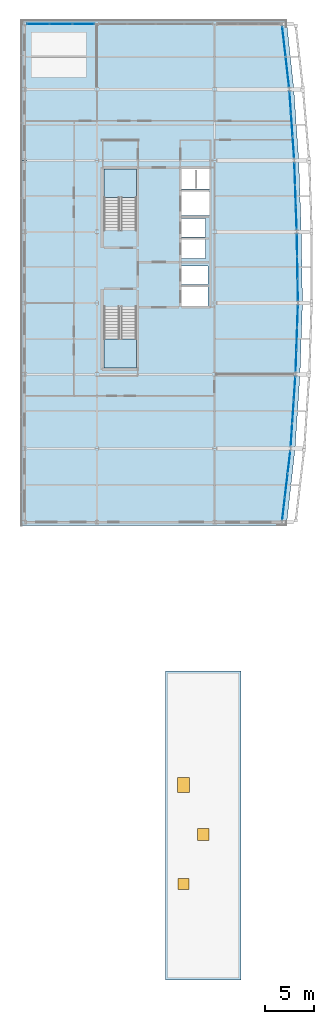
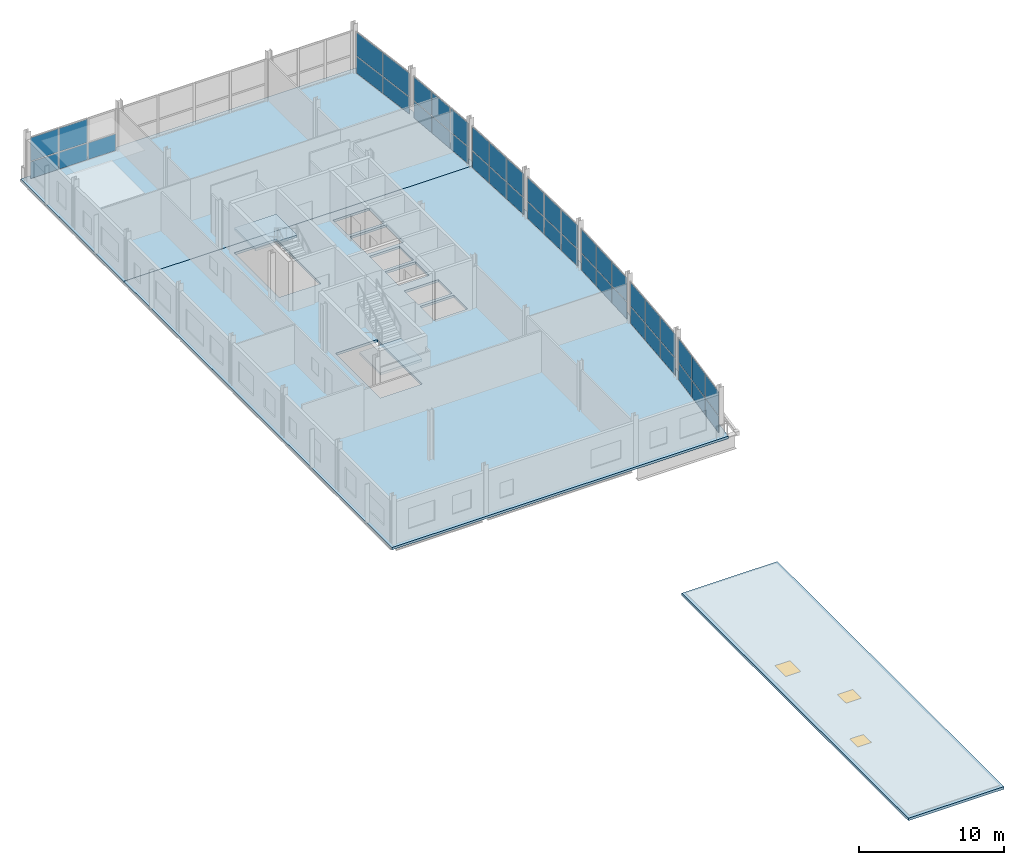
# One storey, part 14 of 23: 45 plates, 5 slabs, 3 windows, 3 openings, 10 elements without a shape of their own.
"""IFC4 building model written with IfcOpenShell, lengths in metres."""

from ifc_helpers import new_model, si_unit, direction, frame, origin, origin_2d, place, context, subcontext, project, spatial, polyline, rectangle, outline, extrude, material, layer, layer_set, type_object, element, fill, aggregate, save


model = new_model("IFC4")

# Units and contexts
model_context = context("Model", 3, precision=1e-05, world=origin(), true_north=direction((0.0, 1.0)))
body_context = subcontext(model_context, "Body", "Model", "MODEL_VIEW")
ifc_project = project(units=[si_unit("LENGTHUNIT", "METRE"), si_unit("AREAUNIT", "SQUARE_METRE"), si_unit("VOLUMEUNIT", "CUBIC_METRE"), si_unit("PLANEANGLEUNIT", "RADIAN"), si_unit("MASSUNIT", "GRAM", prefix="KILO")], contexts=[model_context])

# Site, building, storey
site_placement = place(None, origin())
site = spatial("IfcSite", under=ifc_project, at=site_placement, CompositionType="ELEMENT")
building_placement = place(site_placement, origin())
building = spatial("IfcBuilding", under=site, at=building_placement, Name="Quillay Park Conservatory", CompositionType="ELEMENT")
storey_placement = place(building_placement, frame((0.0, 0.0, 22.5)))
storey = spatial("IfcBuildingStorey", under=building, at=storey_placement, Name="L05", CompositionType="ELEMENT", Elevation=22.5)

# Curtain wall, plates
ifc_material_1 = material(Name="Thermally Broken Anodised Aluminium 6063-T6", Category="aluminium")
ifc_layer_1 = layer(ifc_material_1, 0.179931640625)
ifc_layer_set_1 = layer_set([ifc_layer_1], Name="UNITISED CURTAIN WALL TOWER (Thermally Broken Anodised Aluminium 6063-T6)")
curtain_wall_type = type_object("IfcCurtainWallType", Name="UNITISED CURTAIN WALL TOWER", PredefinedType="USERDEFINED", material=ifc_layer_set_1)
curtain_wall_1_placement = place(storey_placement, origin())
curtain_wall_1 = element("IfcCurtainWall", 1, at=curtain_wall_1_placement, inside=storey, type_object=curtain_wall_type, Name="L05 Unitised Curtain Wall 048", ObjectType="UNITISED CURTAIN WALL", PredefinedType="USERDEFINED")
ifc_material_2 = material(Name="Low-E Double Glazing (Laminated Tempered)", Category="glass")
ifc_layer_2 = layer(ifc_material_2, 0.028076171875)
ifc_layer_set_2 = layer_set([ifc_layer_2], Name="CURTAIN WALL GLAZED PANEL 28 (Low-E Double Glazing (Laminated Tempered))")
plate_type = type_object("IfcPlateType", Name="CURTAIN WALL GLAZED PANEL 28", PredefinedType="CURTAIN_PANEL", material=ifc_layer_set_2)
plate_1_placement = place(storey_placement, frame((27.261474609375, 69.108642578125, 0.070068359375), z_axis=(0.0, 0.0, 1.0), x_axis=(-0.116654959918, -0.993172502804, 0.0)))
plate_1 = element("IfcPlate", 2, at=plate_1_placement, type_object=plate_type, Name="CW-T1 panel 1.1", PredefinedType="CURTAIN_PANEL", context=body_context, shape_type="SweptSolid", body=[
    extrude(rectangle(XDim=2.26220703125, YDim=0.028076171875, at=origin_2d()), origin(), (0.0, 0.0, 1.0), 1.39404296875),
])
plate_2_placement = place(storey_placement, frame((27.261474609375, 69.108642578125, 1.5341796875), z_axis=(0.0, 0.0, 1.0), x_axis=(-0.116654959918, -0.993172502804, 0.0)))
plate_2 = element("IfcPlate", 3, at=plate_2_placement, type_object=plate_type, Name="CW-T1 panel 1.2", PredefinedType="CURTAIN_PANEL", context=body_context, shape_type="SweptSolid", body=[
    extrude(rectangle(XDim=2.26220703125, YDim=0.028076171875, at=origin_2d()), origin(), (0.0, 0.0, 1.0), 1.965087890625),
])
plate_3_placement = place(storey_placement, frame((26.987548828125, 66.77490234375, 0.070068359375), z_axis=(0.0, 0.0, 1.0), x_axis=(-0.116654959918, -0.993172502804, 0.0)))
plate_3 = element("IfcPlate", 4, at=plate_3_placement, type_object=plate_type, Name="CW-T1 panel 2.1", PredefinedType="CURTAIN_PANEL", context=body_context, shape_type="SweptSolid", body=[
    extrude(rectangle(XDim=2.297119140625, YDim=0.028076171875, at=origin_2d()), origin(), (0.0, 0.0, 1.0), 1.39404296875),
])
plate_4_placement = place(storey_placement, frame((26.987548828125, 66.77490234375, 1.5341796875), z_axis=(0.0, 0.0, 1.0), x_axis=(-0.116654959918, -0.993172502804, 0.0)))
plate_4 = element("IfcPlate", 5, at=plate_4_placement, type_object=plate_type, Name="CW-T1 panel 2.2", PredefinedType="CURTAIN_PANEL", context=body_context, shape_type="SweptSolid", body=[
    extrude(rectangle(XDim=2.297119140625, YDim=0.028076171875, at=origin_2d()), origin(), (0.0, 0.0, 1.0), 1.965087890625),
])
plate_5_placement = place(storey_placement, frame((26.71337890625, 64.44140625, 0.070068359375), z_axis=(0.0, 0.0, 1.0), x_axis=(-0.116654959918, -0.993172502804, 0.0)))
plate_5 = element("IfcPlate", 6, at=plate_5_placement, type_object=plate_type, Name="CW-T1 panel 3.1", PredefinedType="CURTAIN_PANEL", context=body_context, shape_type="SweptSolid", body=[
    extrude(rectangle(XDim=2.26220703125, YDim=0.028076171875, at=origin_2d()), origin(), (0.0, 0.0, 1.0), 1.39404296875),
])
plate_6_placement = place(storey_placement, frame((26.71337890625, 64.44140625, 1.5341796875), z_axis=(0.0, 0.0, 1.0), x_axis=(-0.116654959918, -0.993172502804, 0.0)))
plate_6 = element("IfcPlate", 7, at=plate_6_placement, type_object=plate_type, Name="CW-T1 panel 3.2", PredefinedType="CURTAIN_PANEL", context=body_context, shape_type="SweptSolid", body=[
    extrude(rectangle(XDim=2.26220703125, YDim=0.028076171875, at=origin_2d()), origin(), (0.0, 0.0, 1.0), 1.965087890625),
])
aggregate(curtain_wall_1, [plate_1, plate_2, plate_3, plate_4, plate_5, plate_6])

curtain_wall_2_placement = place(storey_placement, origin())
curtain_wall_2 = element("IfcCurtainWall", 8, at=curtain_wall_2_placement, inside=storey, type_object=curtain_wall_type, Name="L05 Unitised Curtain Wall 049", ObjectType="UNITISED CURTAIN WALL", PredefinedType="USERDEFINED")
plate_7_placement = place(storey_placement, frame((27.83154296875, 76.599365234375, 0.070068359375), z_axis=(0.0, 0.0, 1.0), x_axis=(-0.0665208758, -0.997785033503, 0.0)))
plate_7 = element("IfcPlate", 9, at=plate_7_placement, type_object=plate_type, Name="CW-T1 panel 1.1", PredefinedType="CURTAIN_PANEL", context=body_context, shape_type="SweptSolid", body=[
    extrude(rectangle(XDim=2.26708984375, YDim=0.028076171875, at=origin_2d()), origin(), (0.0, 0.0, 1.0), 1.39404296875),
])
plate_8_placement = place(storey_placement, frame((27.83154296875, 76.599365234375, 1.5341796875), z_axis=(0.0, 0.0, 1.0), x_axis=(-0.0665208758, -0.997785033503, 0.0)))
plate_8 = element("IfcPlate", 10, at=plate_8_placement, type_object=plate_type, Name="CW-T1 panel 1.2", PredefinedType="CURTAIN_PANEL", context=body_context, shape_type="SweptSolid", body=[
    extrude(rectangle(XDim=2.26708984375, YDim=0.028076171875, at=origin_2d()), origin(), (0.0, 0.0, 1.0), 1.965087890625),
])
plate_9_placement = place(storey_placement, frame((27.675048828125, 74.25, 0.070068359375), z_axis=(0.0, 0.0, 1.0), x_axis=(-0.0665208758, -0.997785033503, 0.0)))
plate_9 = element("IfcPlate", 11, at=plate_9_placement, type_object=plate_type, Name="CW-T1 panel 2.1", PredefinedType="CURTAIN_PANEL", context=body_context, shape_type="SweptSolid", body=[
    extrude(rectangle(XDim=2.30224609375, YDim=0.028076171875, at=origin_2d()), origin(), (0.0, 0.0, 1.0), 1.39404296875),
])
plate_10_placement = place(storey_placement, frame((27.675048828125, 74.25, 1.5341796875), z_axis=(0.0, 0.0, 1.0), x_axis=(-0.0665208758, -0.997785033503, 0.0)))
plate_10 = element("IfcPlate", 12, at=plate_10_placement, type_object=plate_type, Name="CW-T1 panel 2.2", PredefinedType="CURTAIN_PANEL", context=body_context, shape_type="SweptSolid", body=[
    extrude(rectangle(XDim=2.30224609375, YDim=0.028076171875, at=origin_2d()), origin(), (0.0, 0.0, 1.0), 1.965087890625),
])
plate_11_placement = place(storey_placement, frame((27.518310546875, 71.900634765625, 0.070068359375), z_axis=(0.0, 0.0, 1.0), x_axis=(-0.0665208758, -0.997785033503, 0.0)))
plate_11 = element("IfcPlate", 13, at=plate_11_placement, type_object=plate_type, Name="CW-T1 panel 3.1", PredefinedType="CURTAIN_PANEL", context=body_context, shape_type="SweptSolid", body=[
    extrude(rectangle(XDim=2.26708984375, YDim=0.028076171875, at=origin_2d()), origin(), (0.0, 0.0, 1.0), 1.39404296875),
])
plate_12_placement = place(storey_placement, frame((27.518310546875, 71.900634765625, 1.5341796875), z_axis=(0.0, 0.0, 1.0), x_axis=(-0.0665208758, -0.997785033503, 0.0)))
plate_12 = element("IfcPlate", 14, at=plate_12_placement, type_object=plate_type, Name="CW-T1 panel 3.2", PredefinedType="CURTAIN_PANEL", context=body_context, shape_type="SweptSolid", body=[
    extrude(rectangle(XDim=2.26708984375, YDim=0.028076171875, at=origin_2d()), origin(), (0.0, 0.0, 1.0), 1.965087890625),
])
aggregate(curtain_wall_2, [plate_7, plate_8, plate_9, plate_10, plate_11, plate_12])

curtain_wall_3_placement = place(storey_placement, origin())
curtain_wall_3 = element("IfcCurtainWall", 15, at=curtain_wall_3_placement, inside=storey, type_object=curtain_wall_type, Name="L05 Unitised Curtain Wall 050", ObjectType="UNITISED CURTAIN WALL", PredefinedType="USERDEFINED")
plate_13_placement = place(storey_placement, frame((28.128173828125, 83.849365234375, 0.070068359375), z_axis=(0.0, 0.0, 1.0), x_axis=(-0.034713338537, -0.999397310446, 0.0)))
plate_13 = element("IfcPlate", 16, at=plate_13_placement, type_object=plate_type, Name="CW-T1 panel 1.1", PredefinedType="CURTAIN_PANEL", context=body_context, shape_type="SweptSolid", body=[
    extrude(rectangle(XDim=2.1630859375, YDim=0.028076171875, at=origin_2d()), origin(), (0.0, 0.0, 1.0), 1.39404296875),
])
plate_14_placement = place(storey_placement, frame((28.128173828125, 83.849365234375, 1.5341796875), z_axis=(0.0, 0.0, 1.0), x_axis=(-0.034713338537, -0.999397310446, 0.0)))
plate_14 = element("IfcPlate", 17, at=plate_14_placement, type_object=plate_type, Name="CW-T1 panel 1.2", PredefinedType="CURTAIN_PANEL", context=body_context, shape_type="SweptSolid", body=[
    extrude(rectangle(XDim=2.1630859375, YDim=0.028076171875, at=origin_2d()), origin(), (0.0, 0.0, 1.0), 1.965087890625),
])
plate_15_placement = place(storey_placement, frame((28.050048828125, 81.60009765625, 0.070068359375), z_axis=(0.0, 0.0, 1.0), x_axis=(-0.034713338537, -0.999397310446, 0.0)))
plate_15 = element("IfcPlate", 18, at=plate_15_placement, type_object=plate_type, Name="CW-T1 panel 2.1", PredefinedType="CURTAIN_PANEL", context=body_context, shape_type="SweptSolid", body=[
    extrude(rectangle(XDim=2.197998046875, YDim=0.028076171875, at=origin_2d()), origin(), (0.0, 0.0, 1.0), 1.39404296875),
])
plate_16_placement = place(storey_placement, frame((28.050048828125, 81.60009765625, 1.5341796875), z_axis=(0.0, 0.0, 1.0), x_axis=(-0.034713338537, -0.999397310446, 0.0)))
plate_16 = element("IfcPlate", 19, at=plate_16_placement, type_object=plate_type, Name="CW-T1 panel 2.2", PredefinedType="CURTAIN_PANEL", context=body_context, shape_type="SweptSolid", body=[
    extrude(rectangle(XDim=2.197998046875, YDim=0.028076171875, at=origin_2d()), origin(), (0.0, 0.0, 1.0), 1.965087890625),
])
plate_17_placement = place(storey_placement, frame((27.971923828125, 79.350830078125, 0.070068359375), z_axis=(0.0, 0.0, 1.0), x_axis=(-0.034713338537, -0.999397310446, 0.0)))
plate_17 = element("IfcPlate", 20, at=plate_17_placement, type_object=plate_type, Name="CW-T1 panel 3.1", PredefinedType="CURTAIN_PANEL", context=body_context, shape_type="SweptSolid", body=[
    extrude(rectangle(XDim=2.1630859375, YDim=0.028076171875, at=origin_2d()), origin(), (0.0, 0.0, 1.0), 1.39404296875),
])
plate_18_placement = place(storey_placement, frame((27.971923828125, 79.350830078125, 1.5341796875), z_axis=(0.0, 0.0, 1.0), x_axis=(-0.034713338537, -0.999397310446, 0.0)))
plate_18 = element("IfcPlate", 21, at=plate_18_placement, type_object=plate_type, Name="CW-T1 panel 3.2", PredefinedType="CURTAIN_PANEL", context=body_context, shape_type="SweptSolid", body=[
    extrude(rectangle(XDim=2.1630859375, YDim=0.028076171875, at=origin_2d()), origin(), (0.0, 0.0, 1.0), 1.965087890625),
])
aggregate(curtain_wall_3, [plate_13, plate_14, plate_15, plate_16, plate_17, plate_18])

curtain_wall_4_placement = place(storey_placement, origin())
curtain_wall_4 = element("IfcCurtainWall", 22, at=curtain_wall_4_placement, inside=storey, type_object=curtain_wall_type, Name="L05 Unitised Curtain Wall 051", ObjectType="UNITISED CURTAIN WALL", PredefinedType="USERDEFINED")
plate_19_placement = place(storey_placement, frame((28.073486328125, 91.049072265625, 0.070068359375), z_axis=(0.0, 0.0, 1.0), x_axis=(0.017350329071, -0.999849471711, 0.0)))
plate_19 = element("IfcPlate", 23, at=plate_19_placement, type_object=plate_type, Name="CW-T1 panel 1.1", PredefinedType="CURTAIN_PANEL", context=body_context, shape_type="SweptSolid", body=[
    extrude(rectangle(XDim=2.162109375, YDim=0.028076171875, at=origin_2d()), origin(), (0.0, 0.0, 1.0), 1.39404296875),
])
plate_20_placement = place(storey_placement, frame((28.073486328125, 91.049072265625, 1.5341796875), z_axis=(0.0, 0.0, 1.0), x_axis=(0.017350329071, -0.999849471711, 0.0)))
plate_20 = element("IfcPlate", 24, at=plate_20_placement, type_object=plate_type, Name="CW-T1 panel 1.2", PredefinedType="CURTAIN_PANEL", context=body_context, shape_type="SweptSolid", body=[
    extrude(rectangle(XDim=2.162109375, YDim=0.028076171875, at=origin_2d()), origin(), (0.0, 0.0, 1.0), 1.965087890625),
])
plate_21_placement = place(storey_placement, frame((28.112548828125, 88.800048828125, 0.070068359375), z_axis=(0.0, 0.0, 1.0), x_axis=(0.017350329071, -0.999849471711, 0.0)))
plate_21 = element("IfcPlate", 25, at=plate_21_placement, type_object=plate_type, Name="CW-T1 panel 2.1", PredefinedType="CURTAIN_PANEL", context=body_context, shape_type="SweptSolid", body=[
    extrude(rectangle(XDim=2.197021484375, YDim=0.028076171875, at=origin_2d()), origin(), (0.0, 0.0, 1.0), 1.39404296875),
])
plate_22_placement = place(storey_placement, frame((28.112548828125, 88.800048828125, 1.5341796875), z_axis=(0.0, 0.0, 1.0), x_axis=(0.017350329071, -0.999849471711, 0.0)))
plate_22 = element("IfcPlate", 26, at=plate_22_placement, type_object=plate_type, Name="CW-T1 panel 2.2", PredefinedType="CURTAIN_PANEL", context=body_context, shape_type="SweptSolid", body=[
    extrude(rectangle(XDim=2.197021484375, YDim=0.028076171875, at=origin_2d()), origin(), (0.0, 0.0, 1.0), 1.965087890625),
])
plate_23_placement = place(storey_placement, frame((28.151611328125, 86.55078125, 0.070068359375), z_axis=(0.0, 0.0, 1.0), x_axis=(0.017350329071, -0.999849471711, 0.0)))
plate_23 = element("IfcPlate", 27, at=plate_23_placement, type_object=plate_type, Name="CW-T1 panel 3.1", PredefinedType="CURTAIN_PANEL", context=body_context, shape_type="SweptSolid", body=[
    extrude(rectangle(XDim=2.162109375, YDim=0.028076171875, at=origin_2d()), origin(), (0.0, 0.0, 1.0), 1.39404296875),
])
plate_24_placement = place(storey_placement, frame((28.151611328125, 86.55078125, 1.5341796875), z_axis=(0.0, 0.0, 1.0), x_axis=(0.017350329071, -0.999849471711, 0.0)))
plate_24 = element("IfcPlate", 28, at=plate_24_placement, type_object=plate_type, Name="CW-T1 panel 3.2", PredefinedType="CURTAIN_PANEL", context=body_context, shape_type="SweptSolid", body=[
    extrude(rectangle(XDim=2.162109375, YDim=0.028076171875, at=origin_2d()), origin(), (0.0, 0.0, 1.0), 1.965087890625),
])
aggregate(curtain_wall_4, [plate_19, plate_20, plate_21, plate_22, plate_23, plate_24])

curtain_wall_5_placement = place(storey_placement, origin())
curtain_wall_5 = element("IfcCurtainWall", 29, at=curtain_wall_5_placement, inside=storey, type_object=curtain_wall_type, Name="L05 Unitised Curtain Wall 052", ObjectType="UNITISED CURTAIN WALL", PredefinedType="USERDEFINED")
plate_25_placement = place(storey_placement, frame((27.846923828125, 98.249267578125, 0.070068359375), z_axis=(0.0, 0.0, 1.0), x_axis=(0.034713338537, -0.999397310446, 0.0)))
plate_25 = element("IfcPlate", 30, at=plate_25_placement, type_object=plate_type, Name="CW-T1 panel 1.1", PredefinedType="CURTAIN_PANEL", context=body_context, shape_type="SweptSolid", body=[
    extrude(rectangle(XDim=2.1630859375, YDim=0.028076171875, at=origin_2d()), origin(), (0.0, 0.0, 1.0), 1.39404296875),
])
plate_26_placement = place(storey_placement, frame((27.846923828125, 98.249267578125, 1.5341796875), z_axis=(0.0, 0.0, 1.0), x_axis=(0.034713338537, -0.999397310446, 0.0)))
plate_26 = element("IfcPlate", 31, at=plate_26_placement, type_object=plate_type, Name="CW-T1 panel 1.2", PredefinedType="CURTAIN_PANEL", context=body_context, shape_type="SweptSolid", body=[
    extrude(rectangle(XDim=2.1630859375, YDim=0.028076171875, at=origin_2d()), origin(), (0.0, 0.0, 1.0), 1.965087890625),
])
plate_27_placement = place(storey_placement, frame((27.925048828125, 96.0, 0.070068359375), z_axis=(0.0, 0.0, 1.0), x_axis=(0.034713338537, -0.999397310446, 0.0)))
plate_27 = element("IfcPlate", 32, at=plate_27_placement, type_object=plate_type, Name="CW-T1 panel 2.1", PredefinedType="CURTAIN_PANEL", context=body_context, shape_type="SweptSolid", body=[
    extrude(rectangle(XDim=2.197998046875, YDim=0.028076171875, at=origin_2d()), origin(), (0.0, 0.0, 1.0), 1.39404296875),
])
plate_28_placement = place(storey_placement, frame((27.925048828125, 96.0, 1.5341796875), z_axis=(0.0, 0.0, 1.0), x_axis=(0.034713338537, -0.999397310446, 0.0)))
plate_28 = element("IfcPlate", 33, at=plate_28_placement, type_object=plate_type, Name="CW-T1 panel 2.2", PredefinedType="CURTAIN_PANEL", context=body_context, shape_type="SweptSolid", body=[
    extrude(rectangle(XDim=2.197998046875, YDim=0.028076171875, at=origin_2d()), origin(), (0.0, 0.0, 1.0), 1.965087890625),
])
plate_29_placement = place(storey_placement, frame((28.003173828125, 93.750732421875, 0.070068359375), z_axis=(0.0, 0.0, 1.0), x_axis=(0.034713338537, -0.999397310446, 0.0)))
plate_29 = element("IfcPlate", 34, at=plate_29_placement, type_object=plate_type, Name="CW-T1 panel 3.1", PredefinedType="CURTAIN_PANEL", context=body_context, shape_type="SweptSolid", body=[
    extrude(rectangle(XDim=2.1630859375, YDim=0.028076171875, at=origin_2d()), origin(), (0.0, 0.0, 1.0), 1.39404296875),
])
plate_30_placement = place(storey_placement, frame((28.003173828125, 93.750732421875, 1.5341796875), z_axis=(0.0, 0.0, 1.0), x_axis=(0.034713338537, -0.999397310446, 0.0)))
plate_30 = element("IfcPlate", 35, at=plate_30_placement, type_object=plate_type, Name="CW-T1 panel 3.2", PredefinedType="CURTAIN_PANEL", context=body_context, shape_type="SweptSolid", body=[
    extrude(rectangle(XDim=2.1630859375, YDim=0.028076171875, at=origin_2d()), origin(), (0.0, 0.0, 1.0), 1.965087890625),
])
aggregate(curtain_wall_5, [plate_25, plate_26, plate_27, plate_28, plate_29, plate_30])

curtain_wall_6_placement = place(storey_placement, origin())
curtain_wall_6 = element("IfcCurtainWall", 36, at=curtain_wall_6_placement, inside=storey, type_object=curtain_wall_type, Name="L05 Unitised Curtain Wall 053", ObjectType="UNITISED CURTAIN WALL", PredefinedType="USERDEFINED")
plate_31_placement = place(storey_placement, frame((27.393798828125, 105.449462890625, 0.070068359375), z_axis=(0.0, 0.0, 1.0), x_axis=(0.069264217159, -0.99759835015, 0.0)))
plate_31 = element("IfcPlate", 37, at=plate_31_placement, type_object=plate_type, Name="CW-T1 panel 1.1", PredefinedType="CURTAIN_PANEL", context=body_context, shape_type="SweptSolid", body=[
    extrude(rectangle(XDim=2.16748046875, YDim=0.028076171875, at=origin_2d()), origin(), (0.0, 0.0, 1.0), 1.39404296875),
])
plate_32_placement = place(storey_placement, frame((27.393798828125, 105.449462890625, 1.5341796875), z_axis=(0.0, 0.0, 1.0), x_axis=(0.069264217159, -0.99759835015, 0.0)))
plate_32 = element("IfcPlate", 38, at=plate_32_placement, type_object=plate_type, Name="CW-T1 panel 1.2", PredefinedType="CURTAIN_PANEL", context=body_context, shape_type="SweptSolid", body=[
    extrude(rectangle(XDim=2.16748046875, YDim=0.028076171875, at=origin_2d()), origin(), (0.0, 0.0, 1.0), 1.965087890625),
])
plate_33_placement = place(storey_placement, frame((27.550048828125, 103.199951171875, 0.070068359375), z_axis=(0.0, 0.0, 1.0), x_axis=(0.069264217159, -0.99759835015, 0.0)))
plate_33 = element("IfcPlate", 39, at=plate_33_placement, type_object=plate_type, Name="CW-T1 panel 2.1", PredefinedType="CURTAIN_PANEL", context=body_context, shape_type="SweptSolid", body=[
    extrude(rectangle(XDim=2.202392578125, YDim=0.028076171875, at=origin_2d()), origin(), (0.0, 0.0, 1.0), 1.39404296875),
])
plate_34_placement = place(storey_placement, frame((27.550048828125, 103.199951171875, 1.5341796875), z_axis=(0.0, 0.0, 1.0), x_axis=(0.069264217159, -0.99759835015, 0.0)))
plate_34 = element("IfcPlate", 40, at=plate_34_placement, type_object=plate_type, Name="CW-T1 panel 2.2", PredefinedType="CURTAIN_PANEL", context=body_context, shape_type="SweptSolid", body=[
    extrude(rectangle(XDim=2.202392578125, YDim=0.028076171875, at=origin_2d()), origin(), (0.0, 0.0, 1.0), 1.965087890625),
])
plate_35_placement = place(storey_placement, frame((27.706298828125, 100.950439453125, 0.070068359375), z_axis=(0.0, 0.0, 1.0), x_axis=(0.069264217159, -0.99759835015, 0.0)))
plate_35 = element("IfcPlate", 41, at=plate_35_placement, type_object=plate_type, Name="CW-T1 panel 3.1", PredefinedType="CURTAIN_PANEL", context=body_context, shape_type="SweptSolid", body=[
    extrude(rectangle(XDim=2.16748046875, YDim=0.028076171875, at=origin_2d()), origin(), (0.0, 0.0, 1.0), 1.39404296875),
])
plate_36_placement = place(storey_placement, frame((27.706298828125, 100.950439453125, 1.5341796875), z_axis=(0.0, 0.0, 1.0), x_axis=(0.069264217159, -0.99759835015, 0.0)))
plate_36 = element("IfcPlate", 42, at=plate_36_placement, type_object=plate_type, Name="CW-T1 panel 3.2", PredefinedType="CURTAIN_PANEL", context=body_context, shape_type="SweptSolid", body=[
    extrude(rectangle(XDim=2.16748046875, YDim=0.028076171875, at=origin_2d()), origin(), (0.0, 0.0, 1.0), 1.965087890625),
])
aggregate(curtain_wall_6, [plate_31, plate_32, plate_33, plate_34, plate_35, plate_36])

curtain_wall_7_placement = place(storey_placement, origin())
curtain_wall_7 = element("IfcCurtainWall", 43, at=curtain_wall_7_placement, inside=storey, type_object=curtain_wall_type, Name="L05 Unitised Curtain Wall 054", ObjectType="UNITISED CURTAIN WALL", PredefinedType="USERDEFINED")
plate_37_placement = place(storey_placement, frame((26.750732421875, 111.63330078125, 0.070068359375), z_axis=(0.0, 0.0, 1.0), x_axis=(0.112903218278, -0.993605989969, 0.0)))
plate_37 = element("IfcPlate", 44, at=plate_37_placement, type_object=plate_type, Name="CW-T1 panel 1.1", PredefinedType="CURTAIN_PANEL", context=body_context, shape_type="SweptSolid", body=[
    extrude(rectangle(XDim=3.016357421875, YDim=0.028076171875, at=origin_2d()), origin(), (0.0, 0.0, 1.0), 1.39404296875),
])
plate_38_placement = place(storey_placement, frame((26.750732421875, 111.63330078125, 1.5341796875), z_axis=(0.0, 0.0, 1.0), x_axis=(0.112903218278, -0.993605989969, 0.0)))
plate_38 = element("IfcPlate", 45, at=plate_38_placement, type_object=plate_type, Name="CW-T1 panel 1.2", PredefinedType="CURTAIN_PANEL", context=body_context, shape_type="SweptSolid", body=[
    extrude(rectangle(XDim=3.016357421875, YDim=0.028076171875, at=origin_2d()), origin(), (0.0, 0.0, 1.0), 1.965087890625),
])
plate_39_placement = place(storey_placement, frame((27.09912109375, 108.566650390625, 0.070068359375), z_axis=(0.0, 0.0, 1.0), x_axis=(0.112903218278, -0.993605989969, 0.0)))
plate_39 = element("IfcPlate", 46, at=plate_39_placement, type_object=plate_type, Name="CW-T1 panel 2.1", PredefinedType="CURTAIN_PANEL", context=body_context, shape_type="SweptSolid", body=[
    extrude(rectangle(XDim=3.016357421875, YDim=0.028076171875, at=origin_2d()), origin(), (0.0, 0.0, 1.0), 1.39404296875),
])
plate_40_placement = place(storey_placement, frame((27.09912109375, 108.566650390625, 1.5341796875), z_axis=(0.0, 0.0, 1.0), x_axis=(0.112903218278, -0.993605989969, 0.0)))
plate_40 = element("IfcPlate", 47, at=plate_40_placement, type_object=plate_type, Name="CW-T1 panel 2.2", PredefinedType="CURTAIN_PANEL", context=body_context, shape_type="SweptSolid", body=[
    extrude(rectangle(XDim=3.016357421875, YDim=0.028076171875, at=origin_2d()), origin(), (0.0, 0.0, 1.0), 1.965087890625),
])
aggregate(curtain_wall_7, [plate_37, plate_38, plate_39, plate_40])

curtain_wall_8_placement = place(storey_placement, origin())
curtain_wall_8 = element("IfcCurtainWall", 48, at=curtain_wall_8_placement, inside=storey, type_object=curtain_wall_type, Name="L05 Unitised Curtain Wall 055", ObjectType="UNITISED CURTAIN WALL", PredefinedType="USERDEFINED")
plate_41_placement = place(storey_placement, frame((1.91748046875, 113.39990234375, 0.070068359375), z_axis=(0.0, 0.0, 1.0), x_axis=(1.0, 0.0, 0.0)))
plate_41 = element("IfcPlate", 49, at=plate_41_placement, type_object=plate_type, Name="CW-T1 panel 1.1", PredefinedType="CURTAIN_PANEL", context=body_context, shape_type="SweptSolid", body=[
    extrude(rectangle(XDim=2.195068359375, YDim=0.028076171875, at=origin_2d()), origin(), (0.0, 0.0, 1.0), 1.39404296875),
])
plate_42_placement = place(storey_placement, frame((1.91748046875, 113.39990234375, 1.5341796875), z_axis=(0.0, 0.0, 1.0), x_axis=(1.0, 0.0, 0.0)))
plate_42 = element("IfcPlate", 50, at=plate_42_placement, type_object=plate_type, Name="CW-T1 panel 1.2", PredefinedType="CURTAIN_PANEL", context=body_context, shape_type="SweptSolid", body=[
    extrude(rectangle(XDim=2.195068359375, YDim=0.028076171875, at=origin_2d()), origin(), (0.0, 0.0, 1.0), 1.965087890625),
])
plate_43_placement = place(storey_placement, frame((4.199951171875, 113.39990234375, 0.070068359375), z_axis=(0.0, 0.0, 1.0), x_axis=(1.0, 0.0, 0.0)))
plate_43 = element("IfcPlate", 51, at=plate_43_placement, type_object=plate_type, Name="CW-T1 panel 2.1", PredefinedType="CURTAIN_PANEL", context=body_context, shape_type="SweptSolid", body=[
    extrude(rectangle(XDim=2.22998046875, YDim=0.028076171875, at=origin_2d()), origin(), (0.0, 0.0, 1.0), 1.39404296875),
])
plate_44_placement = place(storey_placement, frame((4.199951171875, 113.39990234375, 1.5341796875), z_axis=(0.0, 0.0, 1.0), x_axis=(1.0, 0.0, 0.0)))
plate_44 = element("IfcPlate", 52, at=plate_44_placement, type_object=plate_type, Name="CW-T1 panel 2.2", PredefinedType="CURTAIN_PANEL", context=body_context, shape_type="SweptSolid", body=[
    extrude(rectangle(XDim=2.22998046875, YDim=0.028076171875, at=origin_2d()), origin(), (0.0, 0.0, 1.0), 1.965087890625),
])
plate_45_placement = place(storey_placement, frame((6.482421875, 113.39990234375, 0.070068359375), z_axis=(0.0, 0.0, 1.0), x_axis=(1.0, 0.0, 0.0)))
plate_45 = element("IfcPlate", 53, at=plate_45_placement, type_object=plate_type, Name="CW-T1 panel 3.1", PredefinedType="CURTAIN_PANEL", context=body_context, shape_type="SweptSolid", body=[
    extrude(rectangle(XDim=2.195068359375, YDim=0.028076171875, at=origin_2d()), origin(), (0.0, 0.0, 1.0), 1.39404296875),
])
aggregate(curtain_wall_8, [plate_41, plate_42, plate_43, plate_44, plate_45])

# Slab, openings, windows
ifc_material_3 = material(Name="Concrete C35/45 (NCh170 Concrete C35/45)", Category="concrete")
ifc_layer_3 = layer(ifc_material_3, 0.215087890625)
ifc_layer_set_3 = layer_set([ifc_layer_3], Name="FLAT ROOF SLAB 215 (Concrete C35/45 (NCh170 Concrete C35/45))")
slab_type_1 = type_object("IfcSlabType", Name="FLAT ROOF SLAB 215", PredefinedType="ROOF", material=ifc_layer_set_3)
slab_1_placement = place(storey_placement, frame((0.0, 0.0, -0.215087890625)))
slab_1 = element("IfcSlab", 54, at=slab_1_placement, inside=storey, type_object=slab_type_1, Name="Visitor Core Headhouse Roof Slab", PredefinedType="ROOF", context=body_context, shape_type="SweptSolid", body=[
    extrude(outline(polyline([(14.800048828125, 16.800048828125), (22.39990234375, 16.800048828125), (22.39990234375, 48.0), (14.800048828125, 48.0), (14.800048828125, 16.800048828125)])), origin(), (0.0, 0.0, 1.0), 0.215087890625),
])
opening_1_placement = place(slab_1_placement, frame((16.60009765625, 26.5, 0.0)))
opening_1 = element("IfcOpeningElement", 55, at=opening_1_placement, cuts=slab_1, Name="Opening RH-01", PredefinedType="OPENING", context=body_context, shape_type="SweptSolid", body=[
    extrude(rectangle(XDim=1.10009765625, YDim=1.10009765625, at=origin_2d()), origin(), (0.0, 0.0, 1.0), 0.215087890625),
])
opening_2_placement = place(slab_1_placement, frame((18.60009765625, 31.5, 0.0)))
opening_2 = element("IfcOpeningElement", 56, at=opening_2_placement, cuts=slab_1, Name="Opening RH-02", PredefinedType="OPENING", context=body_context, shape_type="SweptSolid", body=[
    extrude(rectangle(XDim=1.199951171875, YDim=1.199951171875, at=origin_2d()), origin(), (0.0, 0.0, 1.0), 0.215087890625),
])
opening_3_placement = place(slab_1_placement, frame((16.60009765625, 36.5, 0.0)))
opening_3 = element("IfcOpeningElement", 57, at=opening_3_placement, cuts=slab_1, Name="Opening RH-03", PredefinedType="OPENING", context=body_context, shape_type="SweptSolid", body=[
    extrude(rectangle(XDim=1.199951171875, YDim=1.5, at=origin_2d()), origin(), (0.0, 0.0, 1.0), 0.215087890625),
])
ifc_material_4 = material(Name="Thermally Broken Anodised Aluminium 6063-T6", Category="aluminium")
window_type_1 = type_object("IfcWindowType", Name="ROOF ACCESS HATCH 1100 X1100", PartitioningType="SINGLE_PANEL", PredefinedType="SKYLIGHT", material=ifc_material_4)
window_1_placement = place(opening_1_placement, frame((0.0, 0.0, 0.1650390625)))
window_1 = element("IfcWindow", 58, at=window_1_placement, inside=storey, type_object=window_type_1, Name="L05 Roof Access Hatch RH-01", OverallHeight=1.10009765625, OverallWidth=1.10009765625, PartitioningType="SINGLE_PANEL", PredefinedType="SKYLIGHT", context=body_context, shape_type="SweptSolid", body=[
    extrude(rectangle(XDim=1.10009765625, YDim=1.10009765625, at=origin_2d()), origin(), (0.0, 0.0, 1.0), 0.050048828125),
])
fill(opening_1, window_1)
ifc_material_5 = material(Name="Thermally Broken Anodised Aluminium 6063-T6", Category="aluminium")
window_type_2 = type_object("IfcWindowType", Name="ROOF ACCESS HATCH 1200 X1200", PartitioningType="SINGLE_PANEL", PredefinedType="SKYLIGHT", material=ifc_material_5)
window_2_placement = place(opening_2_placement, frame((0.0, 0.0, 0.1650390625)))
window_2 = element("IfcWindow", 59, at=window_2_placement, inside=storey, type_object=window_type_2, Name="L05 Roof Access Hatch RH-02", OverallHeight=1.199951171875, OverallWidth=1.199951171875, PartitioningType="SINGLE_PANEL", PredefinedType="SKYLIGHT", context=body_context, shape_type="SweptSolid", body=[
    extrude(rectangle(XDim=1.199951171875, YDim=1.199951171875, at=origin_2d()), origin(), (0.0, 0.0, 1.0), 0.050048828125),
])
fill(opening_2, window_2)
ifc_material_6 = material(Name="Thermally Broken Anodised Aluminium 6063-T6", Category="aluminium")
window_type_3 = type_object("IfcWindowType", Name="ROOF ACCESS HATCH 1200 X1500", PartitioningType="SINGLE_PANEL", PredefinedType="SKYLIGHT", material=ifc_material_6)
window_3_placement = place(opening_3_placement, frame((0.0, 0.0, 0.1650390625)))
window_3 = element("IfcWindow", 60, at=window_3_placement, inside=storey, type_object=window_type_3, Name="L05 Roof Access Hatch RH-03", OverallHeight=1.5, OverallWidth=1.199951171875, PartitioningType="SINGLE_PANEL", PredefinedType="SKYLIGHT", context=body_context, shape_type="SweptSolid", body=[
    extrude(rectangle(XDim=1.199951171875, YDim=1.5, at=origin_2d()), origin(), (0.0, 0.0, 1.0), 0.050048828125),
])
fill(opening_3, window_3)

# Stair, slab
ifc_material_7 = material(Name="Concrete C35/45 (NCh170 Concrete C35/45)", Category="concrete")
stair_type = type_object("IfcStairType", Name="ENCLOSED DOG LEG STAIR 4200", PredefinedType="HALF_TURN_STAIR", material=ifc_material_7)
stair_1_placement = place(storey_placement, origin())
stair_1 = element("IfcStair", 61, at=stair_1_placement, inside=storey, type_object=stair_type, Name="L05 Tower Protected Exit Stair 1", PredefinedType="HALF_TURN_STAIR")
ifc_material_8 = material(Name="Concrete C35/45 (NCh170 Concrete C35/45)", Category="concrete")
ifc_layer_4 = layer(ifc_material_8, 0.199951171875)
ifc_layer_set_4 = layer_set([ifc_layer_4], Name="STAIR LANDING SLAB 200 (Concrete C35/45 (NCh170 Concrete C35/45))")
slab_type_2 = type_object("IfcSlabType", Name="STAIR LANDING SLAB 200", PredefinedType="LANDING", material=ifc_layer_set_4)
slab_2_placement = place(storey_placement, frame((0.0, 0.0, 1.89990234375)))
slab_2 = element("IfcSlab", 62, at=slab_2_placement, type_object=slab_type_2, Name="ST-T1 landing 1", PredefinedType="LANDING", context=body_context, shape_type="SweptSolid", body=[
    extrude(outline(polyline([(11.8701171875, 95.85009765625), (11.8701171875, 98.75), (8.550048828125, 98.75), (8.550048828125, 95.85009765625), (11.8701171875, 95.85009765625)])), origin(), (0.0, 0.0, 1.0), 0.2001953125),
])
aggregate(stair_1, [slab_2])

stair_2_placement = place(storey_placement, origin())
stair_2 = element("IfcStair", 63, at=stair_2_placement, inside=storey, type_object=stair_type, Name="L05 Tower Protected Exit Stair 2", PredefinedType="HALF_TURN_STAIR")
slab_3_placement = place(storey_placement, frame((0.0, 0.0, 1.89990234375)))
slab_3 = element("IfcSlab", 64, at=slab_3_placement, type_object=slab_type_2, Name="ST-T2 landing 1", PredefinedType="LANDING", context=body_context, shape_type="SweptSolid", body=[
    extrude(outline(polyline([(8.550048828125, 81.550048828125), (8.550048828125, 78.64990234375), (11.8701171875, 78.64990234375), (11.8701171875, 81.550048828125), (8.550048828125, 81.550048828125)])), origin(), (0.0, 0.0, 1.0), 0.2001953125),
])
aggregate(stair_2, [slab_3])

# Slabs
ifc_material_9 = material(Name="Concrete C35/45 (NCh170 Concrete C35/45)", Category="concrete")
ifc_layer_5 = layer(ifc_material_9, 0.199951171875)
ifc_layer_set_5 = layer_set([ifc_layer_5], Name="SUSPENDED FLOOR SLAB 180 (Concrete C35/45 (NCh170 Concrete C35/45))")
slab_type_3 = type_object("IfcSlabType", Name="SUSPENDED FLOOR SLAB 180", PredefinedType="FLOOR", material=ifc_layer_set_5)
slab_4_placement = place(storey_placement, frame((0.0, 0.0, -0.199951171875)))
element("IfcSlab", 65, at=slab_4_placement, inside=storey, type_object=slab_type_3, Name="L05 Research Tower South Chord Plate", PredefinedType="FLOOR", context=body_context, shape_type="SweptSolid", body=[
    extrude(outline(polyline([(0.25, 62.699951171875), (27.0, 62.699951171875), (27.875, 70.5), (28.375, 78.0), (28.625, 85.199951171875), (28.5, 92.39990234375), (28.25, 99.60009765625), (0.25, 99.60009765625), (0.25, 62.699951171875)]), holes=[polyline([(8.550048828125, 92.580078125), (11.8701171875, 92.580078125), (11.8701171875, 98.75), (8.550048828125, 98.75), (8.550048828125, 92.580078125)]), polyline([(8.550048828125, 78.64990234375), (11.8701171875, 78.64990234375), (11.8701171875, 84.820068359375), (8.550048828125, 84.820068359375), (8.550048828125, 78.64990234375)]), polyline([(16.39990234375, 84.89990234375), (19.10009765625, 84.89990234375), (19.10009765625, 86.800048828125), (16.39990234375, 86.800048828125), (16.39990234375, 84.89990234375)]), polyline([(16.39990234375, 87.050048828125), (19.10009765625, 87.050048828125), (19.10009765625, 88.949951171875), (16.39990234375, 88.949951171875), (16.39990234375, 87.050048828125)]), polyline([(16.39990234375, 89.699951171875), (18.800048828125, 89.699951171875), (18.800048828125, 91.60009765625), (16.39990234375, 91.60009765625), (16.39990234375, 89.699951171875)]), polyline([(16.39990234375, 91.85009765625), (18.800048828125, 91.85009765625), (18.800048828125, 93.75), (16.39990234375, 93.75), (16.39990234375, 91.85009765625)]), polyline([(16.39990234375, 94.050048828125), (19.300048828125, 94.050048828125), (19.300048828125, 96.449951171875), (16.39990234375, 96.449951171875), (16.39990234375, 94.050048828125)]), polyline([(16.39990234375, 96.699951171875), (19.300048828125, 96.699951171875), (19.300048828125, 98.75), (16.39990234375, 98.75), (16.39990234375, 96.699951171875)])]), origin(), (0.0, 0.0, 1.0), 0.199951171875),
])
slab_5_placement = place(storey_placement, frame((0.0, 0.0, -0.199951171875)))
element("IfcSlab", 66, at=slab_5_placement, inside=storey, type_object=slab_type_3, Name="L05 Research Tower North Chord Plate", PredefinedType="FLOOR", context=body_context, shape_type="SweptSolid", body=[
    extrude(outline(polyline([(0.25, 99.60009765625), (28.25, 99.60009765625), (27.75, 106.800048828125), (27.0, 113.800048828125), (0.25, 113.800048828125), (0.25, 99.60009765625)])), origin(), (0.0, 0.0, 1.0), 0.199951171875),
])

save(model, "model.ifc")
